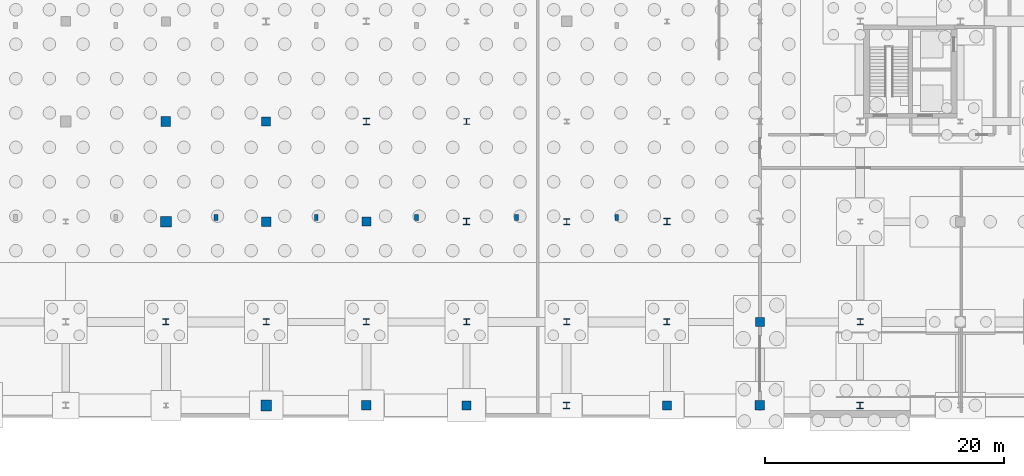
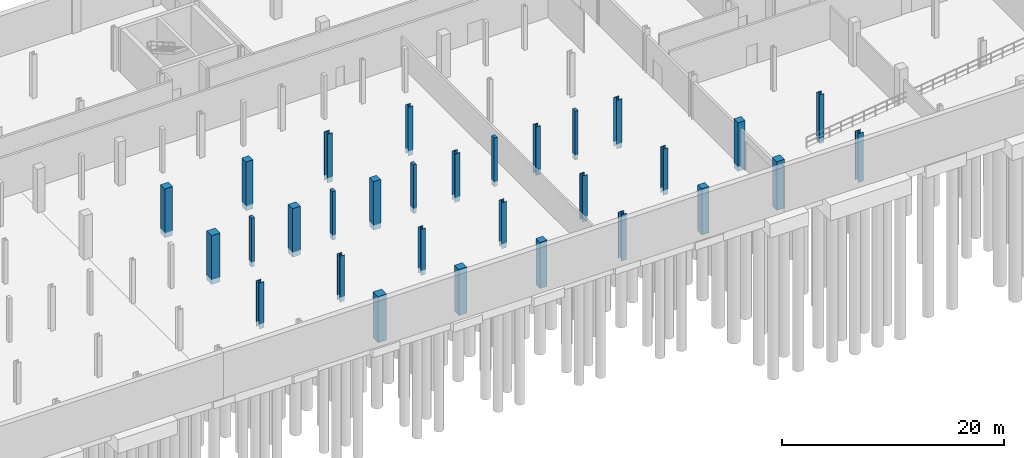
# One storey, part 14 of 32: 30 columns.
"""IFC4 building model written with IfcOpenShell, lengths in metres."""

import ifcopenshell
import ifcopenshell.guid

model = None  # the IFC model being written
_history = None  # IfcOwnerHistory: only IFC2X3 demands one
_inside = {}  # id of a spatial element -> (the spatial element, [elements in it])
_under = {}  # id of a project, library or spatial element -> (it, [spatial elements below it])
_declared = {}  # id of a project -> (the project, [libraries it declares])
_typed = {}  # id of a type object -> (the type object, [elements of that type])
_made_of = {}  # id of a material, layer set ... -> (it, [elements and type objects made of it])


def new_model(schema):
    """Start an empty IFC model of exactly this schema.

    Asked for "IFC4X3", IfcOpenShell would pick the latest addendum, in which some entities
    have other attributes; the version numbers below select the first issue.
    IFC2X3 requires an IfcOwnerHistory on every rooted entity: one is made here for all.
    """
    global model, _history
    if schema == "IFC4X3":
        model = ifcopenshell.file(schema_version=(4, 3, 0, 0))
    else:
        model = ifcopenshell.file(schema=schema)
    _inside.clear()
    _under.clear()
    _declared.clear()
    _typed.clear()
    _made_of.clear()
    _history = None
    if model.schema == "IFC2X3":
        org = make("IfcOrganization", Name="unknown")
        user = make(
            "IfcPersonAndOrganization",
            ThePerson=make("IfcPerson", FamilyName="unknown"),
            TheOrganization=org,
        )
        app = make(
            "IfcApplication",
            ApplicationDeveloper=org,
            Version="unknown",
            ApplicationFullName="unknown",
            ApplicationIdentifier="unknown",
        )
        _history = make(
            "IfcOwnerHistory",
            OwningUser=user,
            OwningApplication=app,
            ChangeAction="ADDED",
            CreationDate=0,
        )
    return model


def make(cls, **values):
    """One entity of the class cls with the attributes given. An attribute that is None is left unset."""
    return model.create_entity(
        cls, **{name: value for name, value in values.items() if value is not None}
    )


def rooted(cls, **values):
    """An entity with a GlobalId (a new one), such as an element, a storey or a relation."""
    return make(cls, GlobalId=ifcopenshell.guid.new(), OwnerHistory=_history, **values)


def si_unit(unit_type, name, prefix=None):
    """IfcSIUnit, for example si_unit("LENGTHUNIT", "METRE", prefix="MILLI")."""
    return make("IfcSIUnit", UnitType=unit_type, Prefix=prefix, Name=name)


def assignment(units):
    """IfcUnitAssignment: the units of a project."""
    return None if units is None else make("IfcUnitAssignment", Units=units)


def point(xyz):
    """IfcCartesianPoint."""
    return None if xyz is None else make("IfcCartesianPoint", Coordinates=xyz)


def direction(xyz):
    """IfcDirection."""
    return None if xyz is None else make("IfcDirection", DirectionRatios=xyz)


def frame(location, z_axis=None, x_axis=None):
    """IfcAxis2Placement3D, a coordinate frame: its origin and axes. An axis left out is left unset."""
    return make(
        "IfcAxis2Placement3D",
        Location=point(location),
        Axis=direction(z_axis),
        RefDirection=direction(x_axis),
    )


def frame_2d(location, x_axis=None):
    """IfcAxis2Placement2D, a coordinate frame in the plane: its origin and x axis."""
    return make(
        "IfcAxis2Placement2D", Location=point(location), RefDirection=direction(x_axis)
    )


def origin_with_axes():
    """The frame at (0, 0, 0) with the z axis (0, 0, 1) and the x axis (1, 0, 0) written out."""
    return frame((0.0, 0.0, 0.0), z_axis=(0.0, 0.0, 1.0), x_axis=(1.0, 0.0, 0.0))


def origin_2d_with_axis():
    """The frame at (0, 0) in the plane with the x axis (1, 0) written out."""
    return frame_2d((0.0, 0.0), x_axis=(1.0, 0.0))


def place(relative_to, where):
    """IfcLocalPlacement: puts the frame where relative to a parent placement (None: the world)."""
    return make(
        "IfcLocalPlacement", PlacementRelTo=relative_to, RelativePlacement=where
    )


def context(
    kind, dimensions, precision=None, world=None, true_north=None, identifier=None
):
    """IfcGeometricRepresentationContext, for example the 3D "Model" context."""
    return make(
        "IfcGeometricRepresentationContext",
        ContextIdentifier=identifier,
        ContextType=kind,
        CoordinateSpaceDimension=dimensions,
        Precision=precision,
        WorldCoordinateSystem=world,
        TrueNorth=true_north,
    )


def subcontext(parent, identifier, kind, view, scale=None):
    """IfcGeometricRepresentationSubContext, for example "Body" below "Model"."""
    return make(
        "IfcGeometricRepresentationSubContext",
        ContextIdentifier=identifier,
        ContextType=kind,
        ParentContext=parent,
        TargetScale=scale,
        TargetView=view,
    )


def project(units=None, contexts=None):
    """IfcProject with its units and contexts."""
    return rooted(
        "IfcProject",
        Name="project",
        RepresentationContexts=contexts,
        UnitsInContext=assignment(units),
    )


def spatial(cls, under=None, at=None, **own):
    """A site, building, storey or space (cls), placed at a placement, below another one or the project."""
    s = rooted(cls, ObjectPlacement=at, **own)
    if under is not None:
        _under.setdefault(under.id(), (under, []))[1].append(s)
    return s


def profile(cls, at=None, kind="AREA", **sizes):
    """A parametric profile (cls). Its sizes go by their IFC names, for example OverallWidth=200.0."""
    return make(cls, ProfileType=kind, Position=at, **sizes)


def rectangle(**sizes):
    """IfcRectangleProfileDef."""
    return profile("IfcRectangleProfileDef", **sizes)


def i_section(**sizes):
    """IfcIShapeProfileDef."""
    return profile("IfcIShapeProfileDef", **sizes)


def extrude(swept, where, along, depth):
    """IfcExtrudedAreaSolid: the profile swept, set in the frame where, extruded along a direction by depth."""
    return make(
        "IfcExtrudedAreaSolid",
        SweptArea=swept,
        Position=where,
        ExtrudedDirection=direction(along),
        Depth=depth,
    )


def shape(context_of_items, identifier, shape_type, items):
    """IfcShapeRepresentation: the items that make up one representation, for example the "Body"."""
    return make(
        "IfcShapeRepresentation",
        ContextOfItems=context_of_items,
        RepresentationIdentifier=identifier,
        RepresentationType=shape_type,
        Items=items,
    )


def material(Name=None, Category=None):
    """IfcMaterial."""
    return make("IfcMaterial", Name=Name, Category=Category)


def material_profile(
    of_material, cross_section, Name=None, Category=None, Priority=None
):
    """IfcMaterialProfile: a cross section and its material."""
    return make(
        "IfcMaterialProfile",
        Name=Name,
        Material=of_material,
        Profile=cross_section,
        Priority=Priority,
        Category=Category,
    )


def profile_set(profiles, Name=None, composite=None):
    """IfcMaterialProfileSet."""
    return make(
        "IfcMaterialProfileSet",
        Name=Name,
        MaterialProfiles=profiles,
        CompositeProfile=composite,
    )


def made_of(thing, what):
    """Note that an element or type object is made of a material, layer set ...; save() writes the relation."""
    if what is not None:
        _made_of.setdefault(what.id(), (what, []))[1].append(thing)
    return thing


def type_object(cls, material=None, **own):
    """A type object (cls), such as IfcWallType, which elements share."""
    return made_of(rooted(cls, **own), material)


def element(
    cls,
    number,
    at=None,
    inside=None,
    cuts=None,
    type_object=None,
    material=None,
    context=None,
    identifier="Body",
    shape_type=None,
    held_by="IfcProductDefinitionShape",
    body=None,
    shapes=None,
    **own,
):
    """One element of the class cls, such as IfcWall. Its Tag is "e" and its number.

    at: its placement. inside: the storey or other place that contains it. cuts: it is an
    opening in that element (IfcRelVoidsElement). A single representation is given by context,
    identifier, shape_type and body (its items); several are given by shapes. held_by: the class
    of the entity that holds the representations. save() writes the other relations.
    """
    e = rooted(cls, Tag="e%d" % number, ObjectPlacement=at, **own)
    if body is not None:
        shapes = [shape(context, identifier, shape_type, body)]
    if shapes is not None:
        e.Representation = make(held_by, Representations=shapes)
    if inside is not None:
        _inside.setdefault(inside.id(), (inside, []))[1].append(e)
    if cuts is not None:
        rooted(
            "IfcRelVoidsElement", RelatingBuildingElement=cuts, RelatedOpeningElement=e
        )
    if type_object is not None:
        _typed.setdefault(type_object.id(), (type_object, []))[1].append(e)
    return made_of(e, material)


def aggregate(whole, parts):
    """IfcRelAggregates: a whole, such as a stair, and the parts it consists of."""
    return rooted("IfcRelAggregates", RelatingObject=whole, RelatedObjects=parts)


def save(model, path):
    """Write the relations noted so far, then the file.

    IfcRelAggregates (storeys below a building ...), IfcRelContainedInSpatialStructure (elements
    in a storey), IfcRelDefinesByType, IfcRelAssociatesMaterial and IfcRelDeclares: one each for
    every whole, place, type object, material and project.
    """
    for whole, parts in _under.values():
        aggregate(whole, parts)
    for where, things in _inside.values():
        rooted(
            "IfcRelContainedInSpatialStructure",
            RelatedElements=things,
            RelatingStructure=where,
        )
    for kind, things in _typed.values():
        rooted("IfcRelDefinesByType", RelatedObjects=things, RelatingType=kind)
    for what, things in _made_of.values():
        rooted("IfcRelAssociatesMaterial", RelatedObjects=things, RelatingMaterial=what)
    for by, libraries in _declared.values():
        rooted("IfcRelDeclares", RelatingContext=by, RelatedDefinitions=libraries)
    model.write(path)


model = new_model("IFC4")

# Units and contexts
model_context = context("Model", 3, precision=1e-05, world=origin_with_axes(), true_north=direction((0.0, 1.0)))
body_context = subcontext(model_context, "Body", "Model", "MODEL_VIEW")
ifc_project = project(units=[si_unit("LENGTHUNIT", "METRE"), si_unit("AREAUNIT", "SQUARE_METRE"), si_unit("VOLUMEUNIT", "CUBIC_METRE"), si_unit("PLANEANGLEUNIT", "RADIAN"), si_unit("MASSUNIT", "GRAM", prefix="KILO"), si_unit("THERMODYNAMICTEMPERATUREUNIT", "KELVIN")], contexts=[model_context])

# Site, building, storey
site_placement = place(None, origin_with_axes())
site = spatial("IfcSite", under=ifc_project, at=site_placement, CompositionType="ELEMENT")
building_placement = place(site_placement, origin_with_axes())
building = spatial("IfcBuilding", under=site, at=building_placement, Name="Montbau Bow Law Courts", CompositionType="ELEMENT")
storey_placement = place(building_placement, frame((0.0, 0.0, -4.8), z_axis=(0.0, 0.0, 1.0), x_axis=(1.0, 0.0, 0.0)))
storey = spatial("IfcBuildingStorey", under=building, at=storey_placement, Name="B1", CompositionType="ELEMENT", Elevation=-4.8)

# Columns
ifc_material_1 = material(Name="Concrete CSA A23.1 f'c 40 MPa", Category="concrete")
ifc_material_profile_1 = material_profile(ifc_material_1, rectangle(XDim=0.32, YDim=0.48, at=origin_2d_with_axis()), Name="RC480X320", Category="Main", Priority=0)
ifc_profile_set_1 = profile_set([ifc_material_profile_1], Name="Concrete CSA A23.1 f'c 40 MPa")
column_type_1 = type_object("IfcColumnType", Name="C-PIL-02", PredefinedType="PILASTER", material=ifc_profile_set_1)
for number, where, z_axis, x_axis, name in (
    (1, (76.2, 22.55, -5.35), (0.0, 0.0, 1.0), (1.0, 0.0, 0.0), "PL-B1-S04:pil2_0010"),
    (2, (84.6, 22.55, -5.35), (0.0, 0.0, 1.0), (1.0, 0.0, 0.0), "PL-B1-S05:pil2_0013"),
    (3, (93.0, 22.55, -5.35), (0.0, 0.0, 1.0), (1.0, 0.0, 0.0), "PL-B1-S06:pil2_0016"),
    (4, (101.4, 22.55, -5.35), (0.0, 0.0, 1.0), (1.0, 0.0, 0.0), "PL-B1-S07:pil2_0019"),
    (5, (109.8, 22.55, -5.35), (0.0, 0.0, 1.0), (1.0, 0.0, 0.0), "PL-B1-S08:pil2_0022"),
):
    element("IfcColumn", number, at=place(None, frame(where, z_axis=z_axis, x_axis=x_axis)), inside=storey, type_object=column_type_1, Name=name, PredefinedType="PILASTER", context=body_context, shape_type="SweptSolid", body=[
        extrude(rectangle(XDim=0.32, YDim=0.48, at=origin_2d_with_axis()), origin_with_axes(), (0.0, 0.0, 1.0), 5.35),
    ])
ifc_material_2 = material(Name="Concrete CSA A23.1 f'c 45 MPa", Category="concrete")
ifc_material_profile_2 = material_profile(ifc_material_2, rectangle(XDim=0.9, YDim=0.9, at=origin_2d_with_axis()), Name="RC900X900", Category="Main", Priority=0)
ifc_profile_set_2 = profile_set([ifc_material_profile_2], Name="Concrete CSA A23.1 f'c 45 MPa")
column_type_2 = type_object("IfcColumnType", Name="C-RC-01", PredefinedType="COLUMN", material=ifc_profile_set_2)
column_1_placement = place(None, frame((72.0, 22.2, -5.35), z_axis=(0.0, 0.0, 1.0), x_axis=(1.0, 0.0, 0.0)))
element("IfcColumn", 6, at=column_1_placement, inside=storey, type_object=column_type_2, Name="C-B1-S057:col2_0057", PredefinedType="COLUMN", context=body_context, shape_type="SweptSolid", body=[
    extrude(rectangle(XDim=0.9, YDim=0.9, at=origin_2d_with_axis()), origin_with_axes(), (0.0, 0.0, 1.0), 5.35),
])
column_2_placement = place(None, frame((80.4, 6.8, -5.35), z_axis=(0.0, 0.0, 1.0), x_axis=(1.0, 0.0, 0.0)))
element("IfcColumn", 7, at=column_2_placement, inside=storey, type_object=column_type_2, Name="C-B1-S063:col2_0063", PredefinedType="COLUMN", context=body_context, shape_type="SweptSolid", body=[
    extrude(rectangle(XDim=0.9, YDim=0.9, at=origin_2d_with_axis()), origin_with_axes(), (0.0, 0.0, 1.0), 5.06),
])
ifc_material_profile_3 = material_profile(ifc_material_2, rectangle(XDim=0.8, YDim=0.8, at=origin_2d_with_axis()), Name="RC800X800", Category="Main", Priority=0)
ifc_profile_set_3 = profile_set([ifc_material_profile_3], Name="Concrete CSA A23.1 f'c 45 MPa")
column_type_3 = type_object("IfcColumnType", Name="C-RC-02", PredefinedType="COLUMN", material=ifc_profile_set_3)
for number, where, z_axis, x_axis, name in (
    (8, (72.0, 30.6, -5.35), (0.0, 0.0, 1.0), (1.0, 0.0, 0.0), "C-B1-S058:col2_0058"),
    (9, (80.4, 22.2, -5.35), (0.0, 0.0, 1.0), (1.0, 0.0, 0.0), "C-B1-S064:col2_0064"),
):
    element("IfcColumn", number, at=place(None, frame(where, z_axis=z_axis, x_axis=x_axis)), inside=storey, type_object=column_type_3, Name=name, PredefinedType="COLUMN", context=body_context, shape_type="SweptSolid", body=[
        extrude(rectangle(XDim=0.8, YDim=0.8, at=origin_2d_with_axis()), origin_with_axes(), (0.0, 0.0, 1.0), 5.35),
    ])
column_3_placement = place(None, frame((88.8, 6.8, -5.35), z_axis=(0.0, 0.0, 1.0), x_axis=(1.0, 0.0, 0.0)))
element("IfcColumn", 10, at=column_3_placement, inside=storey, type_object=column_type_3, Name="C-B1-S070:col2_0070", PredefinedType="COLUMN", context=body_context, shape_type="SweptSolid", body=[
    extrude(rectangle(XDim=0.8, YDim=0.8, at=origin_2d_with_axis()), origin_with_axes(), (0.0, 0.0, 1.0), 5.06),
])
column_4_placement = place(None, frame((121.8, 6.8, -5.35), z_axis=(0.0, 0.0, 1.0), x_axis=(1.0, 0.0, 0.0)))
element("IfcColumn", 11, at=column_4_placement, inside=storey, type_object=column_type_3, Name="C-B1-S094:col2_0094", PredefinedType="COLUMN", context=body_context, shape_type="SweptSolid", body=[
    extrude(rectangle(XDim=0.8, YDim=0.8, at=origin_2d_with_axis()), origin_with_axes(), (0.0, 0.0, 1.0), 5.35),
])
ifc_material_profile_4 = material_profile(ifc_material_1, rectangle(XDim=0.75, YDim=0.75, at=origin_2d_with_axis()), Name="RC750X750", Category="Main", Priority=0)
ifc_profile_set_4 = profile_set([ifc_material_profile_4], Name="Concrete CSA A23.1 f'c 40 MPa")
column_type_4 = type_object("IfcColumnType", Name="C-RC-03", PredefinedType="COLUMN", material=ifc_profile_set_4)
for number, where, z_axis, x_axis, name in (
    (12, (80.4, 30.6, -5.35), (0.0, 0.0, 1.0), (1.0, 0.0, 0.0), "C-B1-S065:col2_0065"),
    (13, (88.8, 22.2, -5.35), (0.0, 0.0, 1.0), (1.0, 0.0, 0.0), "C-B1-S071:col2_0071"),
):
    element("IfcColumn", number, at=place(None, frame(where, z_axis=z_axis, x_axis=x_axis)), inside=storey, type_object=column_type_4, Name=name, PredefinedType="COLUMN", context=body_context, shape_type="SweptSolid", body=[
        extrude(rectangle(XDim=0.75, YDim=0.75, at=origin_2d_with_axis()), origin_with_axes(), (0.0, 0.0, 1.0), 5.35),
    ])
for number, where, z_axis, x_axis, name in (
    (14, (97.2, 6.8, -5.35), (0.0, 0.0, 1.0), (1.0, 0.0, 0.0), "C-B1-S077:col2_0077"),
    (15, (114.0, 6.8, -5.35), (0.0, 0.0, 1.0), (1.0, 0.0, 0.0), "C-B1-S089:col2_0089"),
):
    element("IfcColumn", number, at=place(None, frame(where, z_axis=z_axis, x_axis=x_axis)), inside=storey, type_object=column_type_4, Name=name, PredefinedType="COLUMN", context=body_context, shape_type="SweptSolid", body=[
        extrude(rectangle(XDim=0.75, YDim=0.75, at=origin_2d_with_axis()), origin_with_axes(), (0.0, 0.0, 1.0), 5.06),
    ])
column_5_placement = place(None, frame((121.8, 13.8, -5.35), z_axis=(0.0, 0.0, 1.0), x_axis=(1.0, 0.0, 0.0)))
element("IfcColumn", 16, at=column_5_placement, inside=storey, type_object=column_type_4, Name="C-B1-S095:col2_0095", PredefinedType="COLUMN", context=body_context, shape_type="SweptSolid", body=[
    extrude(rectangle(XDim=0.75, YDim=0.75, at=origin_2d_with_axis()), origin_with_axes(), (0.0, 0.0, 1.0), 5.35),
])
ifc_material_3 = material(Name="Steel CSA G40.21 Grade 350W (350 MPa)", Category="steel")
ifc_material_profile_5 = material_profile(ifc_material_3, i_section(OverallWidth=0.55, OverallDepth=0.55, WebThickness=0.025, FlangeThickness=0.042, at=origin_2d_with_axis()), Name="WWF550X420", Category="Main", Priority=0)
ifc_profile_set_5 = profile_set([ifc_material_profile_5], Name="Steel CSA G40.21 Grade 350W (350 MPa)")
column_type_5 = type_object("IfcColumnType", Name="C-STL-01", PredefinedType="COLUMN", material=ifc_profile_set_5)
for number, where, z_axis, x_axis, name in (
    (17, (88.8, 30.6, -5.35), (0.0, 0.0, 1.0), (1.0, 0.0, 0.0), "C-B1-S072:col2_0072"),
    (18, (97.2, 22.2, -5.35), (0.0, 0.0, 1.0), (1.0, 0.0, 0.0), "C-B1-S078:col2_0078"),
):
    element("IfcColumn", number, at=place(None, frame(where, z_axis=z_axis, x_axis=x_axis)), inside=storey, type_object=column_type_5, Name=name, PredefinedType="COLUMN", context=body_context, shape_type="SweptSolid", body=[
        extrude(i_section(OverallWidth=0.55, OverallDepth=0.55, WebThickness=0.025, FlangeThickness=0.042, at=origin_2d_with_axis()), origin_with_axes(), (0.0, 0.0, 1.0), 5.35),
    ])
column_6_placement = place(None, frame((105.6, 6.8, -5.35), z_axis=(0.0, 0.0, 1.0), x_axis=(1.0, 0.0, 0.0)))
element("IfcColumn", 19, at=column_6_placement, inside=storey, type_object=column_type_5, Name="C-B1-S084:col2_0084", PredefinedType="COLUMN", context=body_context, shape_type="SweptSolid", body=[
    extrude(i_section(OverallWidth=0.55, OverallDepth=0.55, WebThickness=0.025, FlangeThickness=0.042, at=origin_2d_with_axis()), origin_with_axes(), (0.0, 0.0, 1.0), 5.06),
])
for number, where, z_axis, x_axis, name in (
    (20, (114.0, 22.2, -5.35), (0.0, 0.0, 1.0), (1.0, 0.0, 0.0), "C-B1-S090:col2_0090"),
    (21, (130.2, 6.8, -5.35), (0.0, 0.0, 1.0), (1.0, 0.0, 0.0), "C-B1-S102:col2_0102"),
):
    element("IfcColumn", number, at=place(None, frame(where, z_axis=z_axis, x_axis=x_axis)), inside=storey, type_object=column_type_5, Name=name, PredefinedType="COLUMN", context=body_context, shape_type="SweptSolid", body=[
        extrude(i_section(OverallWidth=0.55, OverallDepth=0.55, WebThickness=0.025, FlangeThickness=0.042, at=origin_2d_with_axis()), origin_with_axes(), (0.0, 0.0, 1.0), 5.35),
    ])
ifc_material_profile_6 = material_profile(ifc_material_3, i_section(OverallWidth=0.5, OverallDepth=0.5, WebThickness=0.022, FlangeThickness=0.036, at=origin_2d_with_axis()), Name="WWF500X343", Category="Main", Priority=0)
ifc_profile_set_6 = profile_set([ifc_material_profile_6], Name="Steel CSA G40.21 Grade 350W (350 MPa)")
column_type_6 = type_object("IfcColumnType", Name="C-STL-02", PredefinedType="COLUMN", material=ifc_profile_set_6)
for number, where, z_axis, x_axis, name in (
    (22, (97.2, 30.6, -5.35), (0.0, 0.0, 1.0), (1.0, 0.0, 0.0), "C-B1-S079:col2_0079"),
    (23, (105.6, 22.2, -5.35), (0.0, 0.0, 1.0), (1.0, 0.0, 0.0), "C-B1-S085:col2_0085"),
    (24, (130.2, 13.8, -5.35), (0.0, 0.0, 1.0), (1.0, 0.0, 0.0), "C-B1-S103:col2_0103"),
):
    element("IfcColumn", number, at=place(None, frame(where, z_axis=z_axis, x_axis=x_axis)), inside=storey, type_object=column_type_6, Name=name, PredefinedType="COLUMN", context=body_context, shape_type="SweptSolid", body=[
        extrude(i_section(OverallWidth=0.5, OverallDepth=0.5, WebThickness=0.022, FlangeThickness=0.036, at=origin_2d_with_axis()), origin_with_axes(), (0.0, 0.0, 1.0), 5.35),
    ])
for number, where, z_axis, x_axis, name in (
    (25, (72.0, 13.8, -5.35), (0.0, 0.0, 1.0), (1.0, 0.0, 0.0), "C-PLZ-B1-09:col2_1112"),
    (26, (80.4, 13.8, -5.35), (0.0, 0.0, 1.0), (1.0, 0.0, 0.0), "C-PLZ-B1-10:col2_1113"),
    (27, (88.8, 13.8, -5.35), (0.0, 0.0, 1.0), (1.0, 0.0, 0.0), "C-PLZ-B1-11:col2_1114"),
    (28, (97.2, 13.8, -5.35), (0.0, 0.0, 1.0), (1.0, 0.0, 0.0), "C-PLZ-B1-12:col2_1115"),
    (29, (105.6, 13.8, -5.35), (0.0, 0.0, 1.0), (1.0, 0.0, 0.0), "C-PLZ-B1-13:col2_1116"),
    (30, (114.0, 13.8, -5.35), (0.0, 0.0, 1.0), (1.0, 0.0, 0.0), "C-PLZ-B1-14:col2_1117"),
):
    element("IfcColumn", number, at=place(None, frame(where, z_axis=z_axis, x_axis=x_axis)), inside=storey, type_object=column_type_6, Name=name, PredefinedType="COLUMN", context=body_context, shape_type="SweptSolid", body=[
        extrude(i_section(OverallWidth=0.5, OverallDepth=0.5, WebThickness=0.022, FlangeThickness=0.036, at=origin_2d_with_axis()), origin_with_axes(), (0.0, 0.0, 1.0), 5.06),
    ])

save(model, "model.ifc")
